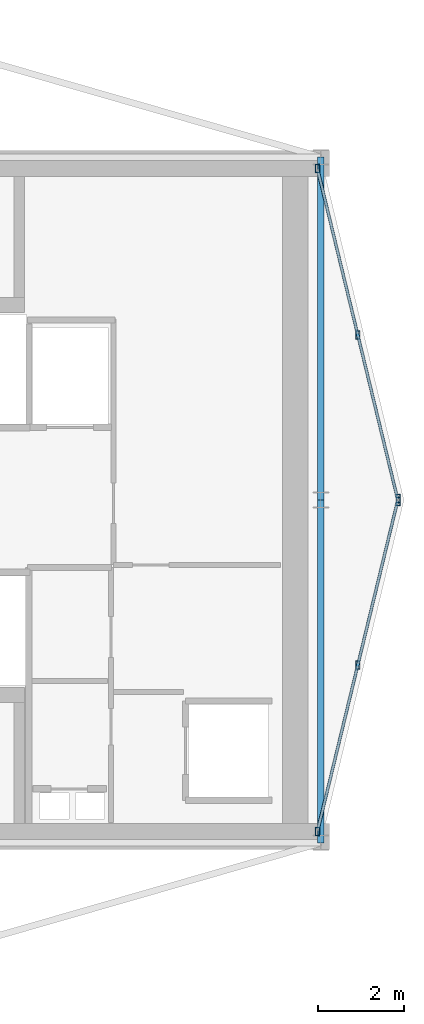
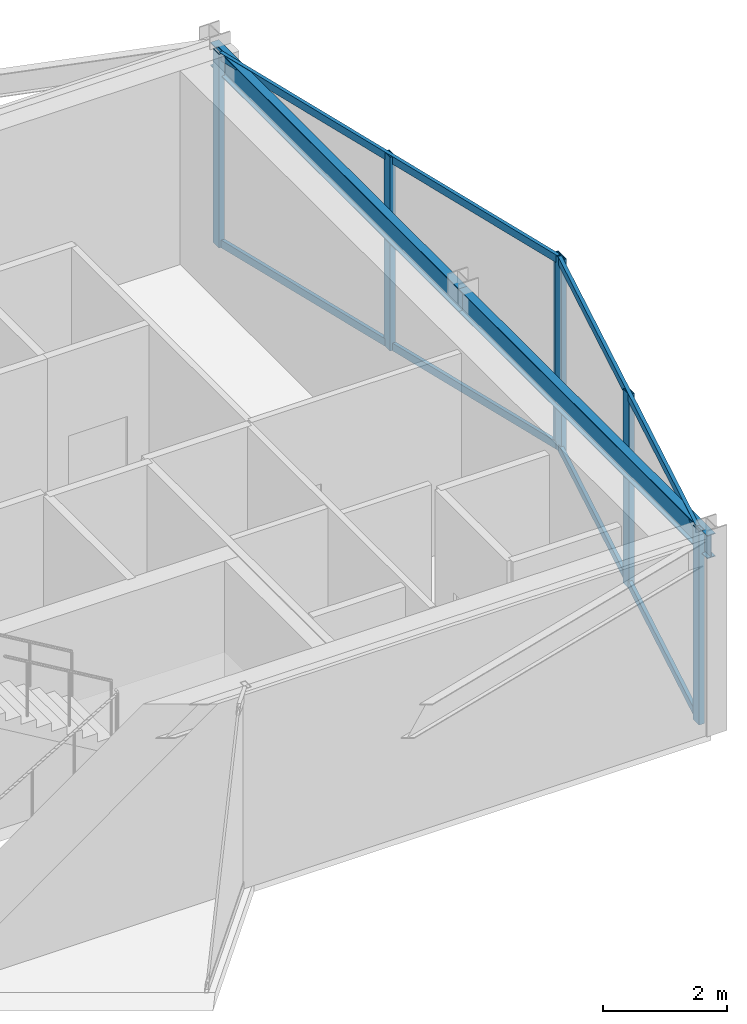
# One storey, part 7 of 13: 10 members, 2 beams, 2 elements without a shape of their own.
"""IFC4 building model written with IfcOpenShell, lengths in metres."""

from ifc_helpers import new_model, si_unit, direction, frame, origin, origin_2d, place, context, subcontext, project, spatial, hollow_rectangle, i_section, extrude, material, layer, layer_set, material_profile, profile_set, type_object, element, aggregate, save


model = new_model("IFC4")

# Units and contexts
model_context = context("Model", 3, precision=1e-05, world=origin(), true_north=direction((0.0, 1.0)))
body_context = subcontext(model_context, "Body", "Model", "MODEL_VIEW")
ifc_project = project(units=[si_unit("LENGTHUNIT", "METRE"), si_unit("AREAUNIT", "SQUARE_METRE"), si_unit("VOLUMEUNIT", "CUBIC_METRE"), si_unit("PLANEANGLEUNIT", "RADIAN"), si_unit("MASSUNIT", "GRAM", prefix="KILO")], contexts=[model_context])

# Site, building, storey
site_placement = place(None, origin())
site = spatial("IfcSite", under=ifc_project, at=site_placement, CompositionType="ELEMENT")
building_placement = place(site_placement, origin())
building = spatial("IfcBuilding", under=site, at=building_placement, Name="Veymaron Broadcast Tower", CompositionType="ELEMENT")
storey_placement = place(building_placement, frame((0.0, 0.0, 274.949951171875)))
storey = spatial("IfcBuildingStorey", under=building, at=storey_placement, Name="L64", CompositionType="ELEMENT", Elevation=274.949951171875)

# Beams
ifc_material_1 = material(Name="Structural steel ASTM A992 Gr 50", Category="steel")
ifc_material_profile_1 = material_profile(ifc_material_1, i_section(OverallWidth=0.154052734375, OverallDepth=0.458984375, WebThickness=0.009033203125, FlangeThickness=0.015380859375, at=origin_2d()), Name="W460X68")
ifc_profile_set_1 = profile_set([ifc_material_profile_1], Name="Structural steel ASTM A992 Gr 50")
beam_type = type_object("IfcBeamType", Name="BM-SP2", PredefinedType="SPANDREL", material=ifc_profile_set_1)
for number, where, z_axis, x_axis, name in (
    (1, (54.60009765625, 16.0, 3.58056640625), (0.0, 1.0, 0.0), (-1.0, 0.0, 0.0), "L64 primary structural floor girder"),
    (2, (54.60009765625, 24.0, 3.58056640625), (0.0, 1.0, 0.0), (-1.0, 0.0, 0.0), "L64 primary structural floor girder"),
):
    element("IfcBeam", number, at=place(storey_placement, frame(where, z_axis=z_axis, x_axis=x_axis)), inside=storey, type_object=beam_type, Name=name, PredefinedType="SPANDREL", context=body_context, shape_type="SweptSolid", body=[
        extrude(i_section(OverallWidth=0.154052734375, OverallDepth=0.458984375, WebThickness=0.009033203125, FlangeThickness=0.015380859375, at=origin_2d()), origin(), (0.0, 0.0, 1.0), 8.0),
    ])

# Curtain wall, members
ifc_material_2 = material(Name="Anodised aluminium AA 6063-T6 and laminated low-E dark glass", Category="aluminium")
ifc_layer = layer(ifc_material_2, 0.179931640625)
ifc_layer_set = layer_set([ifc_layer], Name="Anodised aluminium AA 6063-T6 and laminated low-E dark glass")
curtain_wall_type = type_object("IfcCurtainWallType", Name="CW-SYS-06", PredefinedType="NOTDEFINED", material=ifc_layer_set)
curtain_wall_1_placement = place(storey_placement, origin())
curtain_wall_1 = element("IfcCurtainWall", 3, at=curtain_wall_1_placement, inside=storey, type_object=curtain_wall_type, Name="L64 dark-glass curtain wall CW-L64-E2-1", PredefinedType="NOTDEFINED")
ifc_material_3 = material(Name="Anodised aluminium AA 6063-T6", Category="aluminium")
ifc_material_profile_2 = material_profile(ifc_material_3, hollow_rectangle(XDim=0.10009765625, YDim=0.199951171875, WallThickness=0.010009765625, at=origin_2d()), Name="RHS200X100X10")
ifc_profile_set_2 = profile_set([ifc_material_profile_2], Name="Anodised aluminium AA 6063-T6")
member_type_1 = type_object("IfcMemberType", Name="CW-MUL-01", PredefinedType="MULLION", material=ifc_profile_set_2)
member_1_placement = place(storey_placement, frame((54.520751953125, 16.26708984375, 0.0), z_axis=(0.0, 0.0, 1.0), x_axis=(1.0, 0.0, 0.0)))
member_1 = element("IfcMember", 4, at=member_1_placement, type_object=member_type_1, Name="CW-L64-E2-1 mullion 0", PredefinedType="MULLION", context=body_context, shape_type="SweptSolid", body=[
    extrude(hollow_rectangle(XDim=0.10009765625, YDim=0.199951171875, WallThickness=0.010009765625, at=origin_2d()), origin(), (0.0, 0.0, 1.0), 3.81005859375),
])
member_2_placement = place(storey_placement, frame((55.46240234375, 20.14990234375, 0.0), z_axis=(0.0, 0.0, 1.0), x_axis=(1.0, 0.0, 0.0)))
member_2 = element("IfcMember", 5, at=member_2_placement, type_object=member_type_1, Name="CW-L64-E2-1 mullion 1", PredefinedType="MULLION", context=body_context, shape_type="SweptSolid", body=[
    extrude(hollow_rectangle(XDim=0.10009765625, YDim=0.199951171875, WallThickness=0.010009765625, at=origin_2d()), origin(), (0.0, 0.0, 1.0), 3.81005859375),
])
member_3_placement = place(storey_placement, frame((56.404296875, 24.032958984375, 0.0), z_axis=(0.0, 0.0, 1.0), x_axis=(1.0, 0.0, 0.0)))
member_3 = element("IfcMember", 6, at=member_3_placement, type_object=member_type_1, Name="CW-L64-E2-1 mullion 2", PredefinedType="MULLION", context=body_context, shape_type="SweptSolid", body=[
    extrude(hollow_rectangle(XDim=0.10009765625, YDim=0.199951171875, WallThickness=0.010009765625, at=origin_2d()), origin(), (0.0, 0.0, 1.0), 3.81005859375),
])

curtain_wall_2_placement = place(storey_placement, origin())
curtain_wall_2 = element("IfcCurtainWall", 7, at=curtain_wall_2_placement, inside=storey, type_object=curtain_wall_type, Name="L64 dark-glass curtain wall CW-L64-E3-1", PredefinedType="NOTDEFINED")
member_4_placement = place(storey_placement, frame((56.404296875, 23.967041015625, 0.0), z_axis=(0.0, 0.0, 1.0), x_axis=(1.0, 0.0, 0.0)))
member_4 = element("IfcMember", 8, at=member_4_placement, type_object=member_type_1, Name="CW-L64-E3-1 mullion 0", PredefinedType="MULLION", context=body_context, shape_type="SweptSolid", body=[
    extrude(hollow_rectangle(XDim=0.10009765625, YDim=0.199951171875, WallThickness=0.010009765625, at=origin_2d()), origin(), (0.0, 0.0, 1.0), 3.81005859375),
])
member_5_placement = place(storey_placement, frame((55.46240234375, 27.85009765625, 0.0), z_axis=(0.0, 0.0, 1.0), x_axis=(1.0, 0.0, 0.0)))
member_5 = element("IfcMember", 9, at=member_5_placement, type_object=member_type_1, Name="CW-L64-E3-1 mullion 1", PredefinedType="MULLION", context=body_context, shape_type="SweptSolid", body=[
    extrude(hollow_rectangle(XDim=0.10009765625, YDim=0.199951171875, WallThickness=0.010009765625, at=origin_2d()), origin(), (0.0, 0.0, 1.0), 3.81005859375),
])
member_6_placement = place(storey_placement, frame((54.520751953125, 31.73291015625, 0.0), z_axis=(0.0, 0.0, 1.0), x_axis=(1.0, 0.0, 0.0)))
member_6 = element("IfcMember", 10, at=member_6_placement, type_object=member_type_1, Name="CW-L64-E3-1 mullion 2", PredefinedType="MULLION", context=body_context, shape_type="SweptSolid", body=[
    extrude(hollow_rectangle(XDim=0.10009765625, YDim=0.199951171875, WallThickness=0.010009765625, at=origin_2d()), origin(), (0.0, 0.0, 1.0), 3.81005859375),
])

# Member
ifc_material_profile_3 = material_profile(ifc_material_3, hollow_rectangle(XDim=0.06494140625, YDim=0.14990234375, WallThickness=0.00390625, at=origin_2d()), Name="AL150X65X4")
ifc_profile_set_3 = profile_set([ifc_material_profile_3], Name="Anodised aluminium AA 6063-T6")
member_type_2 = type_object("IfcMemberType", Name="CW-TRN-01", PredefinedType="USERDEFINED", material=ifc_profile_set_3)
member_7_placement = place(storey_placement, frame((54.532470703125, 16.315673828125, 0.070068359375), z_axis=(0.235723108304, 0.97182025921, 0.0), x_axis=(-0.97182025921, 0.235723108304, 0.0)))
member_7 = element("IfcMember", 11, at=member_7_placement, type_object=member_type_2, Name="CW-L64-E2-1 transom B", ObjectType="TRANSOM", PredefinedType="USERDEFINED", context=body_context, shape_type="SweptSolid", body=[
    extrude(hollow_rectangle(XDim=0.06494140625, YDim=0.14990234375, WallThickness=0.00390625, at=origin_2d()), origin(), (0.0, 0.0, 1.0), 7.89111328125),
])

member_8_placement = place(storey_placement, frame((54.532470703125, 16.315673828125, 3.739990234375), z_axis=(0.235723108304, 0.97182025921, 0.0), x_axis=(-0.97182025921, 0.235723108304, 0.0)))
member_8 = element("IfcMember", 12, at=member_8_placement, type_object=member_type_2, Name="CW-L64-E2-1 transom T", ObjectType="TRANSOM", PredefinedType="USERDEFINED", context=body_context, shape_type="SweptSolid", body=[
    extrude(hollow_rectangle(XDim=0.06494140625, YDim=0.14990234375, WallThickness=0.00390625, at=origin_2d()), origin(), (0.0, 0.0, 1.0), 7.89111328125),
])

aggregate(curtain_wall_1, [member_1, member_2, member_3, member_7, member_8])

member_9_placement = place(storey_placement, frame((56.392578125, 24.015625, 0.070068359375), z_axis=(-0.235723108304, 0.97182025921, 0.0), x_axis=(-0.97182025921, -0.235723108304, 0.0)))
member_9 = element("IfcMember", 13, at=member_9_placement, type_object=member_type_2, Name="CW-L64-E3-1 transom B", ObjectType="TRANSOM", PredefinedType="USERDEFINED", context=body_context, shape_type="SweptSolid", body=[
    extrude(hollow_rectangle(XDim=0.06494140625, YDim=0.14990234375, WallThickness=0.00390625, at=origin_2d()), origin(), (0.0, 0.0, 1.0), 7.89111328125),
])

member_10_placement = place(storey_placement, frame((56.392578125, 24.015625, 3.739990234375), z_axis=(-0.235723108304, 0.97182025921, 0.0), x_axis=(-0.97182025921, -0.235723108304, 0.0)))
member_10 = element("IfcMember", 14, at=member_10_placement, type_object=member_type_2, Name="CW-L64-E3-1 transom T", ObjectType="TRANSOM", PredefinedType="USERDEFINED", context=body_context, shape_type="SweptSolid", body=[
    extrude(hollow_rectangle(XDim=0.06494140625, YDim=0.14990234375, WallThickness=0.00390625, at=origin_2d()), origin(), (0.0, 0.0, 1.0), 7.89111328125),
])

aggregate(curtain_wall_2, [member_4, member_5, member_6, member_9, member_10])

save(model, "model.ifc")
